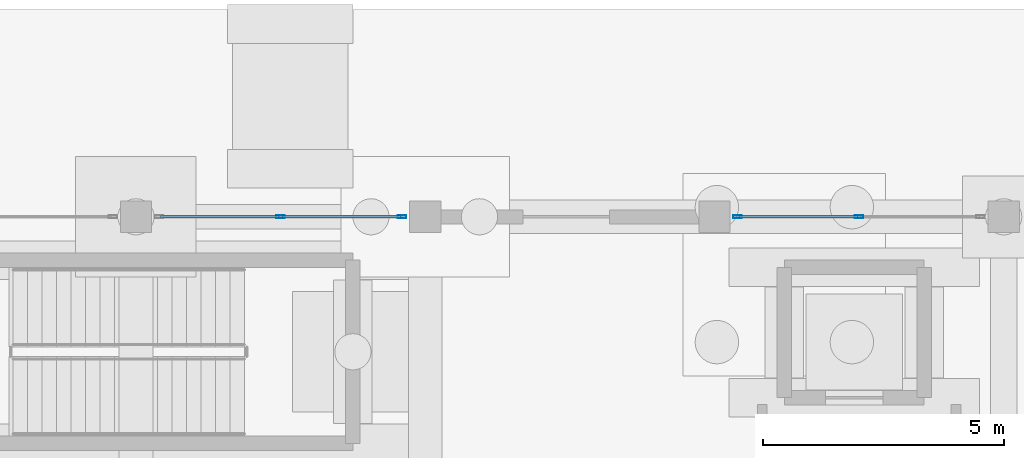
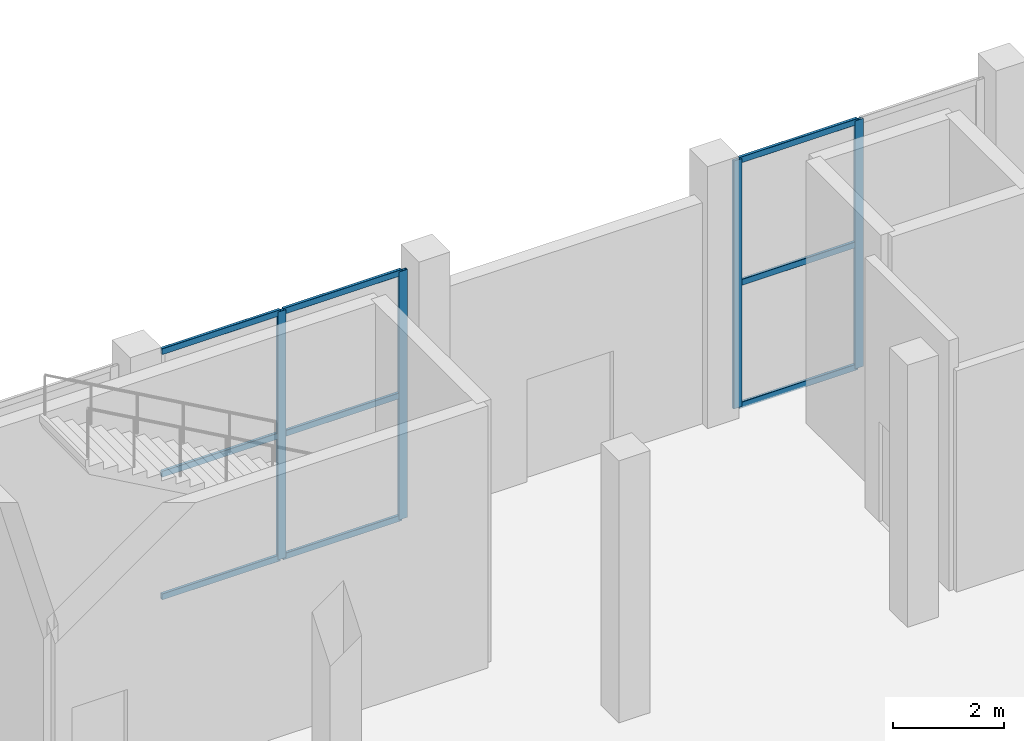
# One storey, part 68 of 103: 13 members, 2 elements without a shape of their own.
"""IFC4 building model written with IfcOpenShell, lengths in metres."""

from ifc_helpers import new_model, si_unit, direction, frame, origin, origin_2d, place, context, subcontext, project, spatial, hollow_rectangle, extrude, material, layer, layer_set, material_profile, profile_set, type_object, element, aggregate, save


model = new_model("IFC4")

# Units and contexts
model_context = context("Model", 3, precision=1e-05, world=origin(), true_north=direction((0.0, 1.0)))
body_context = subcontext(model_context, "Body", "Model", "MODEL_VIEW")
ifc_project = project(units=[si_unit("LENGTHUNIT", "METRE"), si_unit("AREAUNIT", "SQUARE_METRE"), si_unit("VOLUMEUNIT", "CUBIC_METRE"), si_unit("PLANEANGLEUNIT", "RADIAN"), si_unit("MASSUNIT", "GRAM", prefix="KILO")], contexts=[model_context])

# Site, building, storey
site_placement = place(None, origin())
site = spatial("IfcSite", under=ifc_project, at=site_placement, CompositionType="ELEMENT")
building_placement = place(site_placement, origin())
building = spatial("IfcBuilding", under=site, at=building_placement, Name="Dunvalen Ferry Terminal", CompositionType="ELEMENT")
storey_placement = place(building_placement, origin())
storey = spatial("IfcBuildingStorey", under=building, at=storey_placement, Name="L00", CompositionType="ELEMENT", Elevation=0.0)

# Curtain wall, members
ifc_material_1 = material(Name="Anodised marine aluminium and solar-control glazing", Category="aluminium")
ifc_layer = layer(ifc_material_1, 0.159912109375, Name="Anodised marine aluminium and solar-control glazing")
ifc_layer_set = layer_set([ifc_layer], Name="Anodised marine aluminium and solar-control glazing")
curtain_wall_type = type_object("IfcCurtainWallType", Name="ENV-CW-SYS-09", PredefinedType="NOTDEFINED", material=ifc_layer_set)
curtain_wall_1_placement = place(storey_placement, origin())
curtain_wall_1 = element("IfcCurtainWall", 1, at=curtain_wall_1_placement, inside=storey, type_object=curtain_wall_type, Name="L00 Curtain Wall CW-BRT2-N-L00-2", PredefinedType="NOTDEFINED")
ifc_material_2 = material(Name="Anodised marine aluminium EN AW-6063 T6", Category="aluminium")
ifc_material_profile_1 = material_profile(ifc_material_2, hollow_rectangle(XDim=0.06005859375, YDim=0.179931640625, WallThickness=0.00341796875, InnerFilletRadius=0.00341796875, OuterFilletRadius=0.007080078125, at=origin_2d()), Name="Anodised marine aluminium EN AW-6063 T6")
ifc_profile_set_1 = profile_set([ifc_material_profile_1], Name="Anodised marine aluminium EN AW-6063 T6")
member_type_1 = type_object("IfcMemberType", Name="ENV-CW-MUL-2", PredefinedType="MULLION", material=ifc_profile_set_1)
member_1_placement = place(storey_placement, frame((129.0, 115.199951171875, 0.0), z_axis=(0.0, 0.0, 1.0), x_axis=(0.0, 1.0, 0.0)))
member_1 = element("IfcMember", 2, at=member_1_placement, type_object=member_type_1, Name="CW-09 mullion 2", PredefinedType="MULLION", context=body_context, shape_type="SweptSolid", body=[
    extrude(hollow_rectangle(XDim=0.06005859375, YDim=0.179931640625, WallThickness=0.00341796875, InnerFilletRadius=0.00341796875, OuterFilletRadius=0.007080078125, at=origin_2d()), origin(), (0.0, 0.0, 1.0), 5.449951171875),
])
member_2_placement = place(storey_placement, frame((131.52001953125, 115.199951171875, 0.0), z_axis=(0.0, 0.0, 1.0), x_axis=(0.0, 1.0, 0.0)))
member_2 = element("IfcMember", 3, at=member_2_placement, type_object=member_type_1, Name="CW-09 mullion 3", PredefinedType="MULLION", context=body_context, shape_type="SweptSolid", body=[
    extrude(hollow_rectangle(XDim=0.06005859375, YDim=0.179931640625, WallThickness=0.00341796875, InnerFilletRadius=0.00341796875, OuterFilletRadius=0.007080078125, at=origin_2d()), origin(), (0.0, 0.0, 1.0), 5.449951171875),
])

curtain_wall_2_placement = place(storey_placement, origin())
curtain_wall_2 = element("IfcCurtainWall", 4, at=curtain_wall_2_placement, inside=storey, type_object=curtain_wall_type, Name="L00 Curtain Wall CW-BRT2-N-L00-4", PredefinedType="NOTDEFINED")
member_3_placement = place(storey_placement, frame((138.47998046875, 115.199951171875, 0.0), z_axis=(0.0, 0.0, 1.0), x_axis=(0.0, 1.0, 0.0)))
member_3 = element("IfcMember", 5, at=member_3_placement, type_object=member_type_1, Name="CW-09 mullion 1", PredefinedType="MULLION", context=body_context, shape_type="SweptSolid", body=[
    extrude(hollow_rectangle(XDim=0.06005859375, YDim=0.179931640625, WallThickness=0.00341796875, InnerFilletRadius=0.00341796875, OuterFilletRadius=0.007080078125, at=origin_2d()), origin(), (0.0, 0.0, 1.0), 5.449951171875),
])
member_4_placement = place(storey_placement, frame((141.0, 115.199951171875, 0.0), z_axis=(0.0, 0.0, 1.0), x_axis=(0.0, 1.0, 0.0)))
member_4 = element("IfcMember", 6, at=member_4_placement, type_object=member_type_1, Name="CW-09 mullion 2", PredefinedType="MULLION", context=body_context, shape_type="SweptSolid", body=[
    extrude(hollow_rectangle(XDim=0.06005859375, YDim=0.179931640625, WallThickness=0.00341796875, InnerFilletRadius=0.00341796875, OuterFilletRadius=0.007080078125, at=origin_2d()), origin(), (0.0, 0.0, 1.0), 5.449951171875),
])

# Member
ifc_material_profile_2 = material_profile(ifc_material_2, hollow_rectangle(XDim=0.06005859375, YDim=0.135009765625, WallThickness=0.003173828125, InnerFilletRadius=0.003173828125, OuterFilletRadius=0.00634765625, at=origin_2d()), Name="Anodised marine aluminium EN AW-6063 T6")
ifc_profile_set_2 = profile_set([ifc_material_profile_2], Name="Anodised marine aluminium EN AW-6063 T6")
member_type_2 = type_object("IfcMemberType", Name="ENV-CW-TRN-2", PredefinedType="USERDEFINED", material=ifc_profile_set_2)
member_5_placement = place(storey_placement, frame((126.510009765625, 115.199951171875, 0.030029296875), z_axis=(1.0, 0.0, 0.0), x_axis=(0.0, 1.0, 0.0)))
member_5 = element("IfcMember", 7, at=member_5_placement, type_object=member_type_2, Name="CW-09 transom 1.1", ObjectType="TRANSOM", PredefinedType="USERDEFINED", context=body_context, shape_type="SweptSolid", body=[
    extrude(hollow_rectangle(XDim=0.06005859375, YDim=0.135009765625, WallThickness=0.003173828125, InnerFilletRadius=0.003173828125, OuterFilletRadius=0.00634765625, at=origin_2d()), origin(), (0.0, 0.0, 1.0), 2.4599609375),
])

member_6_placement = place(storey_placement, frame((126.510009765625, 115.199951171875, 2.72509765625), z_axis=(1.0, 0.0, 0.0), x_axis=(0.0, 1.0, 0.0)))
member_6 = element("IfcMember", 8, at=member_6_placement, type_object=member_type_2, Name="CW-09 transom 1.2", ObjectType="TRANSOM", PredefinedType="USERDEFINED", context=body_context, shape_type="SweptSolid", body=[
    extrude(hollow_rectangle(XDim=0.06005859375, YDim=0.135009765625, WallThickness=0.003173828125, InnerFilletRadius=0.003173828125, OuterFilletRadius=0.00634765625, at=origin_2d()), origin(), (0.0, 0.0, 1.0), 2.4599609375),
])

member_7_placement = place(storey_placement, frame((126.510009765625, 115.199951171875, 5.419921875), z_axis=(1.0, 0.0, 0.0), x_axis=(0.0, 1.0, 0.0)))
member_7 = element("IfcMember", 9, at=member_7_placement, type_object=member_type_2, Name="CW-09 transom 1.3", ObjectType="TRANSOM", PredefinedType="USERDEFINED", context=body_context, shape_type="SweptSolid", body=[
    extrude(hollow_rectangle(XDim=0.06005859375, YDim=0.135009765625, WallThickness=0.003173828125, InnerFilletRadius=0.003173828125, OuterFilletRadius=0.00634765625, at=origin_2d()), origin(), (0.0, 0.0, 1.0), 2.4599609375),
])

member_8_placement = place(storey_placement, frame((129.030029296875, 115.199951171875, 0.030029296875), z_axis=(1.0, 0.0, 0.0), x_axis=(0.0, 1.0, 0.0)))
member_8 = element("IfcMember", 10, at=member_8_placement, type_object=member_type_2, Name="CW-09 transom 2.1", ObjectType="TRANSOM", PredefinedType="USERDEFINED", context=body_context, shape_type="SweptSolid", body=[
    extrude(hollow_rectangle(XDim=0.06005859375, YDim=0.135009765625, WallThickness=0.003173828125, InnerFilletRadius=0.003173828125, OuterFilletRadius=0.00634765625, at=origin_2d()), origin(), (0.0, 0.0, 1.0), 2.4599609375),
])

member_9_placement = place(storey_placement, frame((129.030029296875, 115.199951171875, 2.72509765625), z_axis=(1.0, 0.0, 0.0), x_axis=(0.0, 1.0, 0.0)))
member_9 = element("IfcMember", 11, at=member_9_placement, type_object=member_type_2, Name="CW-09 transom 2.2", ObjectType="TRANSOM", PredefinedType="USERDEFINED", context=body_context, shape_type="SweptSolid", body=[
    extrude(hollow_rectangle(XDim=0.06005859375, YDim=0.135009765625, WallThickness=0.003173828125, InnerFilletRadius=0.003173828125, OuterFilletRadius=0.00634765625, at=origin_2d()), origin(), (0.0, 0.0, 1.0), 2.4599609375),
])

member_10_placement = place(storey_placement, frame((129.030029296875, 115.199951171875, 5.419921875), z_axis=(1.0, 0.0, 0.0), x_axis=(0.0, 1.0, 0.0)))
member_10 = element("IfcMember", 12, at=member_10_placement, type_object=member_type_2, Name="CW-09 transom 2.3", ObjectType="TRANSOM", PredefinedType="USERDEFINED", context=body_context, shape_type="SweptSolid", body=[
    extrude(hollow_rectangle(XDim=0.06005859375, YDim=0.135009765625, WallThickness=0.003173828125, InnerFilletRadius=0.003173828125, OuterFilletRadius=0.00634765625, at=origin_2d()), origin(), (0.0, 0.0, 1.0), 2.4599609375),
])

aggregate(curtain_wall_1, [member_1, member_2, member_5, member_6, member_7, member_8, member_9, member_10])

member_11_placement = place(storey_placement, frame((138.510009765625, 115.199951171875, 0.030029296875), z_axis=(1.0, 0.0, 0.0), x_axis=(0.0, 1.0, 0.0)))
member_11 = element("IfcMember", 13, at=member_11_placement, type_object=member_type_2, Name="CW-09 transom 1.1", ObjectType="TRANSOM", PredefinedType="USERDEFINED", context=body_context, shape_type="SweptSolid", body=[
    extrude(hollow_rectangle(XDim=0.06005859375, YDim=0.135009765625, WallThickness=0.003173828125, InnerFilletRadius=0.003173828125, OuterFilletRadius=0.00634765625, at=origin_2d()), origin(), (0.0, 0.0, 1.0), 2.4599609375),
])

member_12_placement = place(storey_placement, frame((138.510009765625, 115.199951171875, 2.72509765625), z_axis=(1.0, 0.0, 0.0), x_axis=(0.0, 1.0, 0.0)))
member_12 = element("IfcMember", 14, at=member_12_placement, type_object=member_type_2, Name="CW-09 transom 1.2", ObjectType="TRANSOM", PredefinedType="USERDEFINED", context=body_context, shape_type="SweptSolid", body=[
    extrude(hollow_rectangle(XDim=0.06005859375, YDim=0.135009765625, WallThickness=0.003173828125, InnerFilletRadius=0.003173828125, OuterFilletRadius=0.00634765625, at=origin_2d()), origin(), (0.0, 0.0, 1.0), 2.4599609375),
])

member_13_placement = place(storey_placement, frame((138.510009765625, 115.199951171875, 5.419921875), z_axis=(1.0, 0.0, 0.0), x_axis=(0.0, 1.0, 0.0)))
member_13 = element("IfcMember", 15, at=member_13_placement, type_object=member_type_2, Name="CW-09 transom 1.3", ObjectType="TRANSOM", PredefinedType="USERDEFINED", context=body_context, shape_type="SweptSolid", body=[
    extrude(hollow_rectangle(XDim=0.06005859375, YDim=0.135009765625, WallThickness=0.003173828125, InnerFilletRadius=0.003173828125, OuterFilletRadius=0.00634765625, at=origin_2d()), origin(), (0.0, 0.0, 1.0), 2.4599609375),
])

aggregate(curtain_wall_2, [member_3, member_4, member_11, member_12, member_13])

save(model, "model.ifc")
